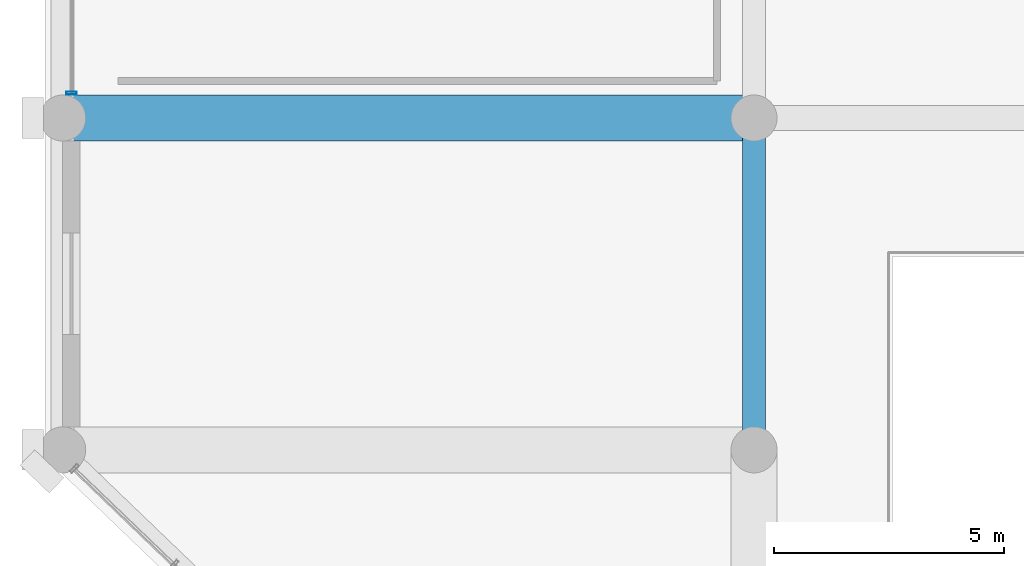
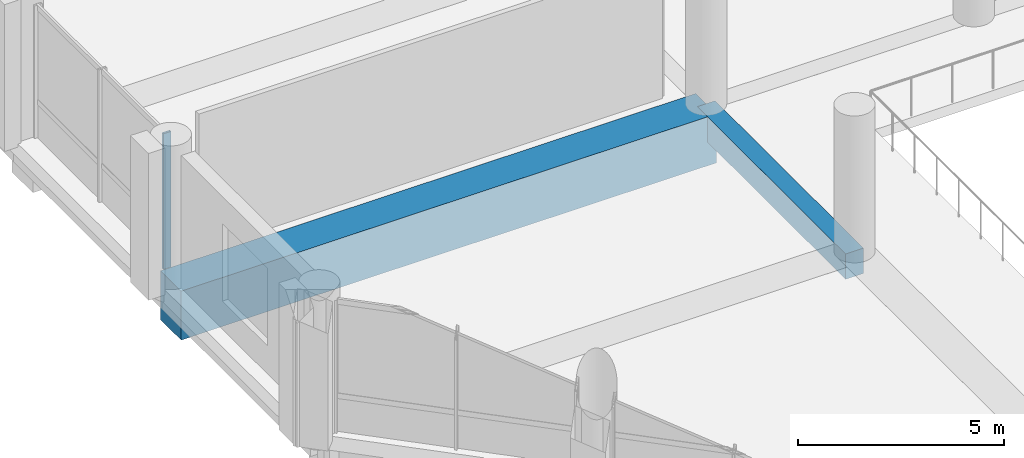
# One storey, part 10 of 64: 2 beams, 1 member, 1 element without a shape of its own.
"""IFC4 building model written with IfcOpenShell, lengths in metres."""

from ifc_helpers import new_model, si_unit, direction, frame, origin, origin_2d, place, context, subcontext, project, spatial, rectangle, hollow_rectangle, extrude, material, material_profile, profile_set, type_object, element, aggregate, save


model = new_model("IFC4")

# Units and contexts
model_context = context("Model", 3, precision=1e-05, world=origin(), true_north=direction((0.0, 1.0)))
body_context = subcontext(model_context, "Body", "Model", "MODEL_VIEW")
ifc_project = project(units=[si_unit("LENGTHUNIT", "METRE"), si_unit("AREAUNIT", "SQUARE_METRE"), si_unit("VOLUMEUNIT", "CUBIC_METRE"), si_unit("PLANEANGLEUNIT", "RADIAN"), si_unit("MASSUNIT", "GRAM", prefix="KILO")], contexts=[model_context])

# Site, building, storey
site_placement = place(None, origin())
site = spatial("IfcSite", under=ifc_project, at=site_placement, CompositionType="ELEMENT")
building_placement = place(site_placement, origin())
building = spatial("IfcBuilding", under=site, at=building_placement, Name="Akrevak Sports Hall", CompositionType="ELEMENT")
storey_placement = place(building_placement, frame((0.0, 0.0, 4.60009765625)))
storey = spatial("IfcBuildingStorey", under=building, at=storey_placement, Name="L01", CompositionType="ELEMENT", Elevation=4.60009765625)

# Curtain wall, member
ifc_material_1 = material(Name="Anodized Bronze Aluminium & Low-E Glass", Category="aluminium")
curtain_wall_type = type_object("IfcCurtainWallType", Name="ARC-CW-POD-64x44", PredefinedType="NOTDEFINED", material=ifc_material_1)
curtain_wall_placement = place(storey_placement, origin())
curtain_wall = element("IfcCurtainWall", 1, at=curtain_wall_placement, inside=storey, type_object=curtain_wall_type, Name="Curtain Wall CW-L01-W02", PredefinedType="NOTDEFINED")
ifc_material_2 = material(Name="Anodized Bronze Aluminium", Category="aluminium")
ifc_material_profile_1 = material_profile(ifc_material_2, hollow_rectangle(XDim=0.06494140625, YDim=0.219970703125, WallThickness=0.00439453125, at=origin_2d()), Name="CWM 65x220", Category="aluminium")
ifc_profile_set_1 = profile_set([ifc_material_profile_1], Name="Anodized Bronze Aluminium")
member_type = type_object("IfcMemberType", Name="ARC-CWM-70x160", PredefinedType="MULLION", material=ifc_profile_set_1)
member_placement = place(storey_placement, frame((0.18994140625, 22.139892578125, 0.0), z_axis=(0.0, 0.0, 1.0), x_axis=(0.0, -1.0, 0.0)))
member = element("IfcMember", 2, at=member_placement, type_object=member_type, Name="Curtain Wall Mullion CW-L01-W02-M3", PredefinedType="MULLION", context=body_context, shape_type="SweptSolid", body=[
    extrude(hollow_rectangle(XDim=0.06494140625, YDim=0.219970703125, WallThickness=0.00439453125, at=origin_2d()), origin(), (0.0, 0.0, 1.0), 4.02001953125),
])
aggregate(curtain_wall, [member])

# Beams
ifc_material_3 = material(Name="Concrete C50/60", Category="concrete")
ifc_material_profile_2 = material_profile(ifc_material_3, rectangle(XDim=1.0, YDim=1.449951171875, at=origin_2d()), Name="BM 1000x1450", Category="concrete")
ifc_profile_set_2 = profile_set([ifc_material_profile_2], Name="Concrete C50/60")
beam_type_1 = type_object("IfcBeamType", Name="STR-BM-LG1000x1450", PredefinedType="BEAM", material=ifc_profile_set_2)
beam_1_placement = place(storey_placement, frame((0.0, 21.60009765625, -0.72509765625), z_axis=(1.0, 0.0, 0.0), x_axis=(0.0, 1.0, 0.0)))
element("IfcBeam", 3, at=beam_1_placement, inside=storey, type_object=beam_type_1, Name="Girder D/1-3 (L01)", PredefinedType="BEAM", context=body_context, shape_type="SweptSolid", body=[
    extrude(rectangle(XDim=1.0, YDim=1.449951171875, at=origin_2d()), origin(), (0.0, 0.0, 1.0), 15.0),
])
ifc_material_4 = material(Name="Concrete C40/50", Category="concrete")
ifc_material_profile_3 = material_profile(ifc_material_4, rectangle(XDim=0.5, YDim=0.75, at=origin_2d()), Name="BM 500x750", Category="concrete")
ifc_profile_set_3 = profile_set([ifc_material_profile_3], Name="Concrete C40/50")
beam_type_2 = type_object("IfcBeamType", Name="STR-BM-RC500x750", PredefinedType="BEAM", material=ifc_profile_set_3)
beam_2_placement = place(storey_placement, frame((15.0, 14.39990234375, -0.375), z_axis=(0.0, 1.0, 0.0), x_axis=(-1.0, 0.0, 0.0)))
element("IfcBeam", 4, at=beam_2_placement, inside=storey, type_object=beam_type_2, Name="Girder 3/C-D (L01)", PredefinedType="BEAM", context=body_context, shape_type="SweptSolid", body=[
    extrude(rectangle(XDim=0.5, YDim=0.75, at=origin_2d()), origin(), (0.0, 0.0, 1.0), 7.2001953125),
])

save(model, "model.ifc")
